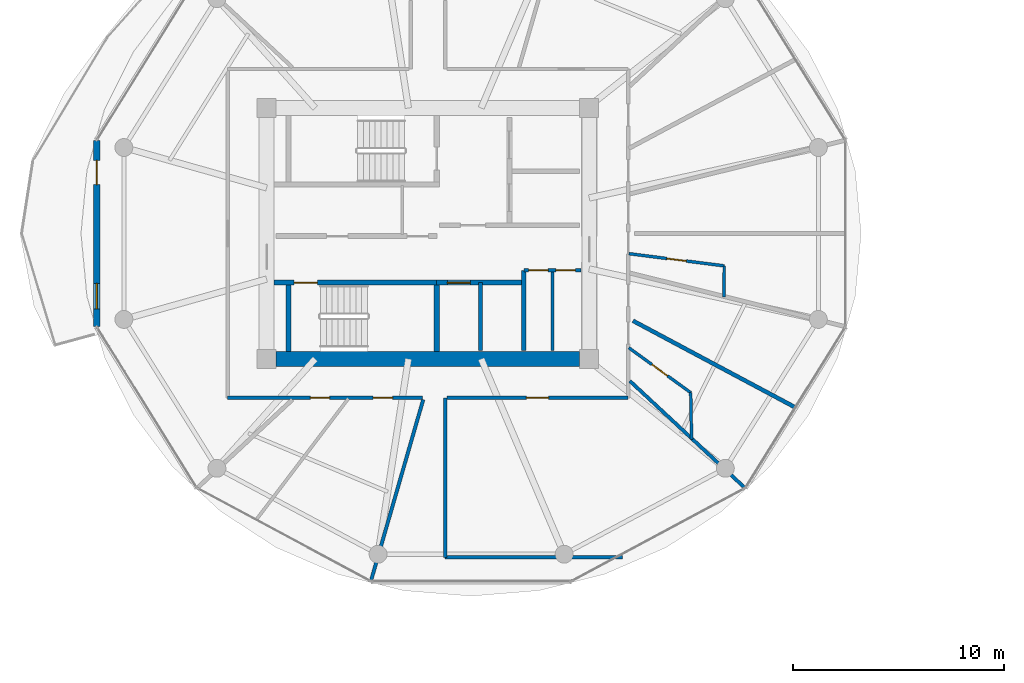
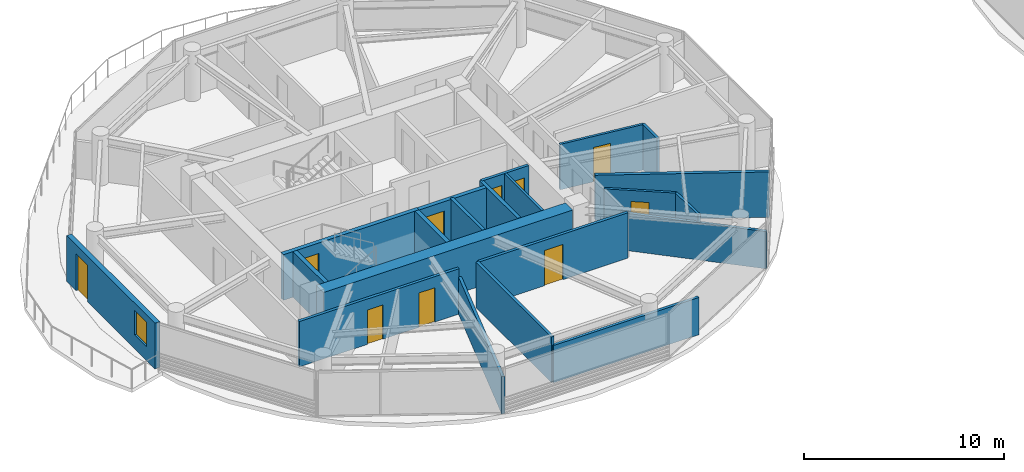
# One storey, part 13 of 22: 21 walls, 10 doors, 1 window, 11 openings.
"""IFC4 building model written with IfcOpenShell, lengths in metres."""

from ifc_helpers import new_model, si_unit, direction, frame, frame_2d, origin, place, context, subcontext, project, spatial, rectangle, extrude, source, transform, mapped, material, layer, layer_set, type_object, type_shapes, element, fill, save


model = new_model("IFC4")

# Units and contexts
model_context = context("Model", 3, precision=1e-05, world=origin(), true_north=direction((0.0, 1.0)))
body_context = subcontext(model_context, "Body", "Model", "MODEL_VIEW")
ifc_project = project(units=[si_unit("LENGTHUNIT", "METRE"), si_unit("AREAUNIT", "SQUARE_METRE"), si_unit("VOLUMEUNIT", "CUBIC_METRE"), si_unit("PLANEANGLEUNIT", "RADIAN"), si_unit("MASSUNIT", "GRAM", prefix="KILO")], contexts=[model_context])

# Site, building, storey
site_placement = place(None, origin())
site = spatial("IfcSite", under=ifc_project, at=site_placement, CompositionType="ELEMENT")
building_placement = place(site_placement, origin())
building = spatial("IfcBuilding", under=site, at=building_placement, Name="Norrkilde Senior Care Towers", CompositionType="ELEMENT")
storey_placement = place(building_placement, frame((0.0, 0.0, 87.10009765625)))
storey = spatial("IfcBuildingStorey", under=building, at=storey_placement, Name="L26", CompositionType="ELEMENT", Elevation=87.10009765625)

# Wall
ifc_material_1 = material(Name="Concrete C60/75", Category="concrete")
ifc_layer_1 = layer(ifc_material_1, 0.719970703125)
ifc_layer_set_1 = layer_set([ifc_layer_1], Name="Concrete C60/75")
wall_type_1 = type_object("IfcWallType", Name="Core Shear Wall Z2 720", PredefinedType="SHEAR", material=ifc_layer_set_1)
shared_shape_1 = source(origin(), body_context, "Body", "SweptSolid", [
    extrude(rectangle(XDim=14.39990234375, YDim=0.719970703125, at=frame_2d((7.199951171875, 0.0))), origin(), (0.0, 0.0, 1.0), 2.789794921875),
])
type_shapes(wall_type_1, [shared_shape_1])
wall_1_placement = place(storey_placement, frame((-20.800048828125, -5.949951171875, 0.0), z_axis=(0.0, 0.0, 1.0), x_axis=(-1.0, 0.0, 0.0)))
element("IfcWall", 1, at=wall_1_placement, inside=storey, type_object=wall_type_1, Name="L26 Core W South Shear Wall", PredefinedType="SHEAR", context=body_context, shape_type="MappedRepresentation", body=[
    mapped(shared_shape_1, transform((0.0, 0.0, 0.0), x_axis=(1.0, 0.0, 0.0), y_axis=(0.0, 1.0, 0.0), z_axis=(0.0, 0.0, 1.0), scale=1.0)),
])

# Wall, openings, door, window
ifc_material_2 = material(Name="Precast concrete C45/55", Category="concrete")
ifc_layer_2 = layer(ifc_material_2, 0.2900390625)
ifc_layer_set_2 = layer_set([ifc_layer_2], Name="Precast concrete C45/55")
wall_type_2 = type_object("IfcWallType", Name="Winter Garden Facade Wall 290", PredefinedType="SOLIDWALL", material=ifc_layer_set_2)
shared_shape_2 = source(origin(), body_context, "Body", "SweptSolid", [
    extrude(rectangle(XDim=8.84130859375, YDim=0.2900390625, at=frame_2d((4.420654296875, 0.0))), origin(), (0.0, 0.0, 1.0), 2.789794921875),
])
type_shapes(wall_type_2, [shared_shape_2])
wall_2_placement = place(storey_placement, frame((-43.70361328125, -4.420654296875, 0.0), z_axis=(0.0, 0.0, 1.0), x_axis=(0.0, 1.0, 0.0)))
wall_2 = element("IfcWall", 2, at=wall_2_placement, inside=storey, type_object=wall_type_2, Name="L26 Drum W Balcony Access Wall 05", PredefinedType="SOLIDWALL", context=body_context, shape_type="MappedRepresentation", body=[
    mapped(shared_shape_2, transform((0.0, 0.0, 0.0), x_axis=(1.0, 0.0, 0.0), y_axis=(0.0, 1.0, 0.0), z_axis=(0.0, 0.0, 1.0), scale=1.0)),
])
opening_1_placement = place(wall_2_placement, frame((6.739990234375, 0.0, 0.0)))
opening_1 = element("IfcOpeningElement", 3, at=opening_1_placement, cuts=wall_2, Name="Opening D-09", PredefinedType="OPENING", context=body_context, shape_type="SweptSolid", body=[
    extrude(rectangle(XDim=1.14990234375, YDim=2.25, at=frame_2d((0.574951171875, 1.125))), frame((0.0, 0.155029296875, 0.0), z_axis=(0.0, -1.0, 0.0), x_axis=(1.0, 0.0, 0.0)), (0.0, 0.0, 1.0), 0.31005859375),
])
opening_2_placement = place(wall_2_placement, frame((0.85009765625, 0.0, 0.85009765625)))
opening_2 = element("IfcOpeningElement", 4, at=opening_2_placement, cuts=wall_2, Name="Opening WN-07", PredefinedType="OPENING", context=body_context, shape_type="SweptSolid", body=[
    extrude(rectangle(XDim=1.199951171875, YDim=1.5, at=frame_2d((0.60009765625, 0.75))), frame((0.0, 0.155029296875, 0.0), z_axis=(0.0, -1.0, 0.0), x_axis=(1.0, 0.0, 0.0)), (0.0, 0.0, 1.0), 0.31005859375),
])
ifc_material_3 = material(Name="Anodised Aluminium", Category="aluminium")
door_type_1 = type_object("IfcDoorType", Name="Terrace and Balcony Glazed Door 1150x2250", OperationType="NOTDEFINED", PredefinedType="DOOR", material=ifc_material_3)
shared_shape_3 = source(origin(), body_context, "Body", "SweptSolid", [
    extrude(rectangle(XDim=1.14990234375, YDim=2.25, at=frame_2d((0.574951171875, 1.125))), frame((0.0, 0.02490234375, 0.0), z_axis=(0.0, -1.0, 0.0), x_axis=(1.0, 0.0, 0.0)), (0.0, 0.0, 1.0), 0.050048828125),
])
type_shapes(door_type_1, [shared_shape_3])
door_1_placement = place(opening_1_placement, origin())
door_1 = element("IfcDoor", 5, at=door_1_placement, inside=storey, type_object=door_type_1, Name="L26 Drum W Outdoor Terrace Door 05", OperationType="SINGLE_SWING_RIGHT", OverallHeight=2.25, OverallWidth=1.14990234375, PredefinedType="DOOR", context=body_context, shape_type="MappedRepresentation", body=[
    mapped(shared_shape_3, transform((0.0, 0.0, 0.0), x_axis=(1.0, 0.0, 0.0), y_axis=(0.0, 1.0, 0.0), z_axis=(0.0, 0.0, 1.0), scale=1.0)),
])
fill(opening_1, door_1)
ifc_material_4 = material(Name="Triple Low-E Insulated Glazing", Category="glass")
window_type = type_object("IfcWindowType", Name="Stairwell Smoke Vent Window 1200x1500", PartitioningType="SINGLE_PANEL", PredefinedType="WINDOW", material=ifc_material_4)
shared_shape_4 = source(origin(), body_context, "Body", "SweptSolid", [
    extrude(rectangle(XDim=1.199951171875, YDim=1.5, at=frame_2d((0.60009765625, 0.75))), frame((0.0, 0.030029296875, 0.0), z_axis=(0.0, -1.0, 0.0), x_axis=(1.0, 0.0, 0.0)), (0.0, 0.0, 1.0), 0.06005859375),
])
type_shapes(window_type, [shared_shape_4])
window_placement = place(opening_2_placement, origin())
window = element("IfcWindow", 6, at=window_placement, inside=storey, type_object=window_type, Name="L26 Drum W Winter Garden Window 05", OverallHeight=1.5, OverallWidth=1.199951171875, PartitioningType="SINGLE_PANEL", PredefinedType="WINDOW", context=body_context, shape_type="MappedRepresentation", body=[
    mapped(shared_shape_4, transform((0.0, 0.0, 0.0), x_axis=(1.0, 0.0, 0.0), y_axis=(0.0, 1.0, 0.0), z_axis=(0.0, 0.0, 1.0), scale=1.0)),
])
fill(opening_2, window)

# Wall
ifc_material_5 = material(Name="Concrete C45/55", Category="concrete")
ifc_layer_3 = layer(ifc_material_5, 0.199951171875)
ifc_layer_set_3 = layer_set([ifc_layer_3], Name="Concrete C45/55")
wall_type_3 = type_object("IfcWallType", Name="Shaft Division and Plant Partition 200", PredefinedType="PARTITIONING", material=ifc_layer_set_3)
shared_shape_5 = source(origin(), body_context, "Body", "SweptSolid", [
    extrude(rectangle(XDim=3.800048828125, YDim=0.199951171875, at=frame_2d((1.89990234375, 0.0))), origin(), (0.0, 0.0, 1.0), 2.77490234375),
])
type_shapes(wall_type_3, [shared_shape_5])
wall_3_placement = place(storey_placement, frame((-23.449951171875, -5.550048828125, 0.0), z_axis=(0.0, 0.0, 1.0), x_axis=(0.0, 1.0, 0.0)))
element("IfcWall", 7, at=wall_3_placement, inside=storey, type_object=wall_type_3, Name="WL-INT-L26-W-PKBE", PredefinedType="PARTITIONING", context=body_context, shape_type="MappedRepresentation", body=[
    mapped(shared_shape_5, transform((0.0, 0.0, 0.0), x_axis=(1.0, 0.0, 0.0), y_axis=(0.0, 1.0, 0.0), z_axis=(0.0, 0.0, 1.0), scale=1.0)),
])

# Wall, opening, door
ifc_layer_4 = layer(ifc_material_5, 0.239990234375)
ifc_layer_set_4 = layer_set([ifc_layer_4], Name="Concrete C45/55")
wall_type_4 = type_object("IfcWallType", Name="Lift and Plant Rated Enclosure Partition 240", PredefinedType="PARTITIONING", material=ifc_layer_set_4)
shared_shape_6 = source(origin(), body_context, "Body", "SweptSolid", [
    extrude(rectangle(XDim=4.130126953125, YDim=0.239990234375, at=frame_2d((2.06494140625, 0.0))), origin(), (0.0, 0.0, 1.0), 2.77490234375),
])
type_shapes(wall_type_4, [shared_shape_6])
wall_4_placement = place(storey_placement, frame((-27.580078125, -2.330078125, 0.0), z_axis=(0.0, 0.0, 1.0), x_axis=(1.0, 0.0, 0.0)))
wall_4 = element("IfcWall", 8, at=wall_4_placement, inside=storey, type_object=wall_type_4, Name="WL-INT-L26-W-PKBN", PredefinedType="PARTITIONING", context=body_context, shape_type="MappedRepresentation", body=[
    mapped(shared_shape_6, transform((0.0, 0.0, 0.0), x_axis=(1.0, 0.0, 0.0), y_axis=(0.0, 1.0, 0.0), z_axis=(0.0, 0.0, 1.0), scale=1.0)),
])
opening_3_placement = place(wall_4_placement, frame((0.5, 0.0, 0.0)))
opening_3 = element("IfcOpeningElement", 9, at=opening_3_placement, cuts=wall_4, Name="Opening LD-01", PredefinedType="OPENING", context=body_context, shape_type="SweptSolid", body=[
    extrude(rectangle(XDim=1.10009765625, YDim=2.199951171875, at=frame_2d((0.550048828125, 1.10009765625))), frame((0.0, 0.1298828125, 0.0), z_axis=(0.0, -1.0, 0.0), x_axis=(1.0, 0.0, 0.0)), (0.0, 0.0, 1.0), 0.260009765625),
])
ifc_material_6 = material(Name="Stainless Steel", Category="steel")
door_type_2 = type_object("IfcDoorType", Name="Lift Landing Sliding Door 1100x2200", OperationType="NOTDEFINED", PredefinedType="DOOR", material=ifc_material_6)
shared_shape_7 = source(origin(), body_context, "Body", "SweptSolid", [
    extrude(rectangle(XDim=1.10009765625, YDim=2.199951171875, at=frame_2d((0.550048828125, 1.10009765625))), frame((0.0, 0.02490234375, 0.0), z_axis=(0.0, -1.0, 0.0), x_axis=(1.0, 0.0, 0.0)), (0.0, 0.0, 1.0), 0.050048828125),
])
type_shapes(door_type_2, [shared_shape_7])
door_2_placement = place(opening_3_placement, frame((1.10009765625, 0.0, 0.0), z_axis=(0.0, 0.0, 1.0), x_axis=(-1.0, 0.0, 0.0)))
door_2 = element("IfcDoor", 10, at=door_2_placement, inside=storey, type_object=door_type_2, Name="L26 Passenger Lift W3 Landing Door", OperationType="SLIDING_TO_LEFT", OverallHeight=2.199951171875, OverallWidth=1.10009765625, PredefinedType="DOOR", context=body_context, shape_type="MappedRepresentation", body=[
    mapped(shared_shape_7, transform((0.0, 0.0, 0.0), x_axis=(1.0, 0.0, 0.0), y_axis=(0.0, 1.0, 0.0), z_axis=(0.0, 0.0, 1.0), scale=1.0)),
])
fill(opening_3, door_2)

# Wall
ifc_layer_5 = layer(ifc_material_5, 0.179931640625)
ifc_layer_set_5 = layer_set([ifc_layer_5], Name="Concrete C45/55")
wall_type_5 = type_object("IfcWallType", Name="Hoistway Division Rated Partition 180", PredefinedType="PARTITIONING", material=ifc_layer_set_5)
shared_shape_8 = source(origin(), body_context, "Body", "SweptSolid", [
    extrude(rectangle(XDim=3.219970703125, YDim=0.179931640625, at=frame_2d((1.60986328125, 0.0))), origin(), (0.0, 0.0, 1.0), 2.77490234375),
])
type_shapes(wall_type_5, [shared_shape_8])
wall_5_placement = place(storey_placement, frame((-25.5, -5.550048828125, 0.0), z_axis=(0.0, 0.0, 1.0), x_axis=(0.0, 1.0, 0.0)))
element("IfcWall", 11, at=wall_5_placement, inside=storey, type_object=wall_type_5, Name="WL-INT-L26-W-PL34", PredefinedType="PARTITIONING", context=body_context, shape_type="MappedRepresentation", body=[
    mapped(shared_shape_8, transform((0.0, 0.0, 0.0), x_axis=(1.0, 0.0, 0.0), y_axis=(0.0, 1.0, 0.0), z_axis=(0.0, 0.0, 1.0), scale=1.0)),
])

# Wall, openings, doors
ifc_material_7 = material(Name="Gypsum Acoustic Board")
ifc_layer_6 = layer(ifc_material_7, 0.1650390625)
ifc_layer_set_6 = layer_set([ifc_layer_6], Name="Gypsum Acoustic Board")
wall_type_6 = type_object("IfcWallType", Name="Corridor Rated Partition 165", PredefinedType="PARTITIONING", material=ifc_layer_set_6)
shared_shape_9 = source(origin(), body_context, "Body", "SweptSolid", [
    extrude(rectangle(XDim=2.699951171875, YDim=0.1650390625, at=frame_2d((1.35009765625, 0.0))), origin(), (0.0, 0.0, 1.0), 2.77490234375),
])
wall_6_placement = place(storey_placement, frame((-23.449951171875, -1.75, 0.0), z_axis=(0.0, 0.0, 1.0), x_axis=(1.0, 0.0, 0.0)))
wall_6 = element("IfcWall", 12, at=wall_6_placement, inside=storey, type_object=wall_type_6, Name="WL-INT-L26-W-CSN", PredefinedType="PARTITIONING", context=body_context, shape_type="MappedRepresentation", body=[
    mapped(shared_shape_9, transform((0.0, 0.0, 0.0), x_axis=(1.0, 0.0, 0.0), y_axis=(0.0, 1.0, 0.0), z_axis=(0.0, 0.0, 1.0), scale=1.0)),
])
opening_4_placement = place(wall_6_placement, frame((0.222412109375, 0.0, 0.0)))
opening_4 = element("IfcOpeningElement", 13, at=opening_4_placement, cuts=wall_6, Name="Opening D-12", PredefinedType="OPENING", context=body_context, shape_type="SweptSolid", body=[
    extrude(rectangle(XDim=0.925048828125, YDim=2.10009765625, at=frame_2d((0.46240234375, 1.050048828125))), frame((0.0, 0.092529296875, 0.0), z_axis=(0.0, -1.0, 0.0), x_axis=(1.0, 0.0, 0.0)), (0.0, 0.0, 1.0), 0.18505859375),
])
opening_5_placement = place(wall_6_placement, frame((1.5224609375, 0.0, 0.0)))
opening_5 = element("IfcOpeningElement", 14, at=opening_5_placement, cuts=wall_6, Name="Opening D-12", PredefinedType="OPENING", context=body_context, shape_type="SweptSolid", body=[
    extrude(rectangle(XDim=0.925048828125, YDim=2.10009765625, at=frame_2d((0.46240234375, 1.050048828125))), frame((0.0, 0.092529296875, 0.0), z_axis=(0.0, -1.0, 0.0), x_axis=(1.0, 0.0, 0.0)), (0.0, 0.0, 1.0), 0.18505859375),
])
ifc_material_8 = material(Name="Galvanised Painted Steel", Category="steel")
door_type_3 = type_object("IfcDoorType", Name="Core Wet Room Rated Door 925x2100", OperationType="NOTDEFINED", PredefinedType="DOOR", material=ifc_material_8)
shared_shape_10 = source(origin(), body_context, "Body", "SweptSolid", [
    extrude(rectangle(XDim=0.925048828125, YDim=2.10009765625, at=frame_2d((0.46240234375, 1.050048828125))), frame((0.0, 0.02490234375, 0.0), z_axis=(0.0, -1.0, 0.0), x_axis=(1.0, 0.0, 0.0)), (0.0, 0.0, 1.0), 0.050048828125),
])
type_shapes(door_type_3, [shared_shape_10])
door_3_placement = place(opening_4_placement, origin())
door_3 = element("IfcDoor", 15, at=door_3_placement, inside=storey, type_object=door_type_3, Name="L26 Staff Accessible WC W Door", OperationType="SINGLE_SWING_LEFT", OverallHeight=2.10009765625, OverallWidth=0.925048828125, PredefinedType="DOOR", context=body_context, shape_type="MappedRepresentation", body=[
    mapped(shared_shape_10, transform((0.0, 0.0, 0.0), x_axis=(1.0, 0.0, 0.0), y_axis=(0.0, 1.0, 0.0), z_axis=(0.0, 0.0, 1.0), scale=1.0)),
])
fill(opening_4, door_3)
door_4_placement = place(opening_5_placement, origin())
door_4 = element("IfcDoor", 16, at=door_4_placement, inside=storey, type_object=door_type_3, Name="L26 Housekeeping Store W Door", OperationType="SINGLE_SWING_RIGHT", OverallHeight=2.10009765625, OverallWidth=0.925048828125, PredefinedType="DOOR", context=body_context, shape_type="MappedRepresentation", body=[
    mapped(shared_shape_10, transform((0.0, 0.0, 0.0), x_axis=(1.0, 0.0, 0.0), y_axis=(0.0, 1.0, 0.0), z_axis=(0.0, 0.0, 1.0), scale=1.0)),
])
fill(opening_5, door_4)

# Wall
ifc_layer_7 = layer(ifc_material_7, 0.139892578125)
ifc_layer_set_7 = layer_set([ifc_layer_7], Name="Gypsum Acoustic Board")
wall_type_7 = type_object("IfcWallType", Name="En-suite Wet Room Wall 140", PredefinedType="PARTITIONING", material=ifc_layer_set_7)
shared_shape_11 = source(origin(), body_context, "Body", "SweptSolid", [
    extrude(rectangle(XDim=3.800048828125, YDim=0.139892578125, at=frame_2d((1.89990234375, 0.0))), origin(), (0.0, 0.0, 1.0), 2.77490234375),
])
wall_7_placement = place(storey_placement, frame((-22.10009765625, -5.550048828125, 0.0), z_axis=(0.0, 0.0, 1.0), x_axis=(0.0, 1.0, 0.0)))
element("IfcWall", 17, at=wall_7_placement, inside=storey, type_object=wall_type_7, Name="WL-INT-L26-W-CS1V", PredefinedType="PARTITIONING", context=body_context, shape_type="MappedRepresentation", body=[
    mapped(shared_shape_11, transform((0.0, 0.0, 0.0), x_axis=(1.0, 0.0, 0.0), y_axis=(0.0, 1.0, 0.0), z_axis=(0.0, 0.0, 1.0), scale=1.0)),
])

# Wall, opening, door
shared_shape_12 = source(origin(), body_context, "Body", "SweptSolid", [
    extrude(rectangle(XDim=8.60009765625, YDim=0.1650390625, at=frame_2d((4.300048828125, 0.0))), origin(), (0.0, 0.0, 1.0), 2.77490234375),
])
wall_8_placement = place(storey_placement, frame((-18.5, -7.800048828125, 0.0), z_axis=(0.0, 0.0, 1.0), x_axis=(-1.0, 0.0, 0.0)))
wall_8 = element("IfcWall", 18, at=wall_8_placement, inside=storey, type_object=wall_type_6, Name="WL-INT-L26-W-CRW-S-0", PredefinedType="PARTITIONING", context=body_context, shape_type="MappedRepresentation", body=[
    mapped(shared_shape_12, transform((0.0, 0.0, 0.0), x_axis=(1.0, 0.0, 0.0), y_axis=(0.0, 1.0, 0.0), z_axis=(0.0, 0.0, 1.0), scale=1.0)),
])
opening_6_placement = place(wall_8_placement, frame((3.77490234375, 0.0, 0.0)))
opening_6 = element("IfcOpeningElement", 19, at=opening_6_placement, cuts=wall_8, Name="Opening D-06", PredefinedType="OPENING", context=body_context, shape_type="SweptSolid", body=[
    extrude(rectangle(XDim=1.050048828125, YDim=2.14990234375, at=frame_2d((0.52490234375, 1.074951171875))), frame((0.0, 0.092529296875, 0.0), z_axis=(0.0, -1.0, 0.0), x_axis=(1.0, 0.0, 0.0)), (0.0, 0.0, 1.0), 0.18505859375),
])
ifc_material_9 = material(Name="Nordic Ash Timber", Category="wood")
door_type_4 = type_object("IfcDoorType", Name="Apartment Entrance Fire Door 1050x2150", OperationType="NOTDEFINED", PredefinedType="DOOR", material=ifc_material_9)
shared_shape_13 = source(origin(), body_context, "Body", "SweptSolid", [
    extrude(rectangle(XDim=1.050048828125, YDim=2.14990234375, at=frame_2d((0.52490234375, 1.074951171875))), frame((0.0, 0.02490234375, 0.0), z_axis=(0.0, -1.0, 0.0), x_axis=(1.0, 0.0, 0.0)), (0.0, 0.0, 1.0), 0.050048828125),
])
type_shapes(door_type_4, [shared_shape_13])
door_5_placement = place(opening_6_placement, frame((1.050048828125, 0.0, 0.0), z_axis=(0.0, 0.0, 1.0), x_axis=(-1.0, 0.0, 0.0)))
door_5 = element("IfcDoor", 20, at=door_5_placement, inside=storey, type_object=door_type_4, Name="L26 Reading Lounge SEL Door", OperationType="SINGLE_SWING_RIGHT", OverallHeight=2.14990234375, OverallWidth=1.050048828125, PredefinedType="DOOR", context=body_context, shape_type="MappedRepresentation", body=[
    mapped(shared_shape_13, transform((0.0, 0.0, 0.0), x_axis=(1.0, 0.0, 0.0), y_axis=(0.0, 1.0, 0.0), z_axis=(0.0, 0.0, 1.0), scale=1.0)),
])
fill(opening_6, door_5)

# Wall, openings, doors
shared_shape_14 = source(origin(), body_context, "Body", "SweptSolid", [
    extrude(rectangle(XDim=9.234130859375, YDim=0.1650390625, at=frame_2d((4.6171875, 0.0))), origin(), (0.0, 0.0, 1.0), 2.77490234375),
])
wall_9_placement = place(storey_placement, frame((-28.265869140625, -7.800048828125, 0.0), z_axis=(0.0, 0.0, 1.0), x_axis=(-1.0, 0.0, 0.0)))
wall_9 = element("IfcWall", 21, at=wall_9_placement, inside=storey, type_object=wall_type_6, Name="WL-INT-L26-W-CRW-S-1", PredefinedType="PARTITIONING", context=body_context, shape_type="MappedRepresentation", body=[
    mapped(shared_shape_14, transform((0.0, 0.0, 0.0), x_axis=(1.0, 0.0, 0.0), y_axis=(0.0, 1.0, 0.0), z_axis=(0.0, 0.0, 1.0), scale=1.0)),
])
opening_7_placement = place(wall_9_placement, frame((4.39208984375, 0.0, 0.0)))
opening_7 = element("IfcOpeningElement", 22, at=opening_7_placement, cuts=wall_9, Name="Opening D-08", PredefinedType="OPENING", context=body_context, shape_type="SweptSolid", body=[
    extrude(rectangle(XDim=0.919921875, YDim=2.10009765625, at=frame_2d((0.4599609375, 1.050048828125))), frame((0.0, 0.092529296875, 0.0), z_axis=(0.0, -1.0, 0.0), x_axis=(1.0, 0.0, 0.0)), (0.0, 0.0, 1.0), 0.18505859375),
])
opening_8_placement = place(wall_9_placement, frame((1.407958984375, 0.0, 0.0)))
opening_8 = element("IfcOpeningElement", 23, at=opening_8_placement, cuts=wall_9, Name="Opening D-08", PredefinedType="OPENING", context=body_context, shape_type="SweptSolid", body=[
    extrude(rectangle(XDim=0.919921875, YDim=2.10009765625, at=frame_2d((0.4599609375, 1.050048828125))), frame((0.0, 0.092529296875, 0.0), z_axis=(0.0, -1.0, 0.0), x_axis=(1.0, 0.0, 0.0)), (0.0, 0.0, 1.0), 0.18505859375),
])
door_type_5 = type_object("IfcDoorType", Name="Accessible Wet Room Door 920x2100", OperationType="NOTDEFINED", PredefinedType="DOOR", material=ifc_material_9)
shared_shape_15 = source(origin(), body_context, "Body", "SweptSolid", [
    extrude(rectangle(XDim=0.919921875, YDim=2.10009765625, at=frame_2d((0.4599609375, 1.050048828125))), frame((0.0, 0.02490234375, 0.0), z_axis=(0.0, -1.0, 0.0), x_axis=(1.0, 0.0, 0.0)), (0.0, 0.0, 1.0), 0.050048828125),
])
type_shapes(door_type_5, [shared_shape_15])
door_6_placement = place(opening_7_placement, frame((0.919921875, 0.0, 0.0), z_axis=(0.0, 0.0, 1.0), x_axis=(-1.0, 0.0, 0.0)))
door_6 = element("IfcDoor", 24, at=door_6_placement, inside=storey, type_object=door_type_5, Name="L26 Accessible Restroom Door", OperationType="SINGLE_SWING_RIGHT", OverallHeight=2.10009765625, OverallWidth=0.919921875, PredefinedType="DOOR", context=body_context, shape_type="MappedRepresentation", body=[
    mapped(shared_shape_15, transform((0.0, 0.0, 0.0), x_axis=(1.0, 0.0, 0.0), y_axis=(0.0, 1.0, 0.0), z_axis=(0.0, 0.0, 1.0), scale=1.0)),
])
fill(opening_7, door_6)
door_7_placement = place(opening_8_placement, frame((0.919921875, 0.0, 0.0), z_axis=(0.0, 0.0, 1.0), x_axis=(-1.0, 0.0, 0.0)))
door_7 = element("IfcDoor", 25, at=door_7_placement, inside=storey, type_object=door_type_5, Name="L26 Public Restroom Door", OperationType="SINGLE_SWING_LEFT", OverallHeight=2.10009765625, OverallWidth=0.919921875, PredefinedType="DOOR", context=body_context, shape_type="MappedRepresentation", body=[
    mapped(shared_shape_15, transform((0.0, 0.0, 0.0), x_axis=(1.0, 0.0, 0.0), y_axis=(0.0, 1.0, 0.0), z_axis=(0.0, 0.0, 1.0), scale=1.0)),
])
fill(opening_8, door_7)

# Walls
shared_shape_16 = source(origin(), body_context, "Body", "SweptSolid", [
    extrude(rectangle(XDim=8.9892578125, YDim=0.1650390625, at=frame_2d((4.49462890625, 0.0))), origin(), (0.0, 0.0, 1.0), 2.27490234375),
])
wall_10_placement = place(storey_placement, frame((-28.221923828125, -7.8798828125, 0.0), z_axis=(0.0, 0.0, 1.0), x_axis=(-0.27702323008, -0.960863221274, 0.0)))
element("IfcWall", 26, at=wall_10_placement, inside=storey, type_object=wall_type_6, Name="WL-INT-L26-W-DEM-08-0", PredefinedType="PARTITIONING", context=body_context, shape_type="MappedRepresentation", body=[
    mapped(shared_shape_16, transform((0.0, 0.0, 0.0), x_axis=(1.0, 0.0, 0.0), y_axis=(0.0, 1.0, 0.0), z_axis=(0.0, 0.0, 1.0), scale=1.0)),
])
shared_shape_17 = source(origin(), body_context, "Body", "SweptSolid", [
    extrude(rectangle(XDim=7.482177734375, YDim=0.1650390625, at=frame_2d((3.7412109375, 0.0))), origin(), (0.0, 0.0, 1.0), 2.27490234375),
])
wall_11_placement = place(storey_placement, frame((-18.419921875, -6.998046875, 0.0), z_axis=(0.0, 0.0, 1.0), x_axis=(0.732508698043, -0.680757671489, 0.0)))
element("IfcWall", 27, at=wall_11_placement, inside=storey, type_object=wall_type_6, Name="WL-INT-L26-W-DEM-10-0", PredefinedType="PARTITIONING", context=body_context, shape_type="MappedRepresentation", body=[
    mapped(shared_shape_17, transform((0.0, 0.0, 0.0), x_axis=(1.0, 0.0, 0.0), y_axis=(0.0, 1.0, 0.0), z_axis=(0.0, 0.0, 1.0), scale=1.0)),
])
shared_shape_18 = source(origin(), body_context, "Body", "SweptSolid", [
    extrude(rectangle(XDim=7.56005859375, YDim=0.1650390625, at=frame_2d((3.780029296875, 0.0))), origin(), (0.0, 0.0, 1.0), 2.77490234375),
])
wall_12_placement = place(storey_placement, frame((-27.179931640625, -15.360107421875, 0.0), z_axis=(0.0, 0.0, 1.0), x_axis=(0.0, 1.0, 0.0)))
element("IfcWall", 28, at=wall_12_placement, inside=storey, type_object=wall_type_6, Name="WL-INT-L26-W-PKW-SEL", PredefinedType="PARTITIONING", context=body_context, shape_type="MappedRepresentation", body=[
    mapped(shared_shape_18, transform((0.0, 0.0, 0.0), x_axis=(1.0, 0.0, 0.0), y_axis=(0.0, 1.0, 0.0), z_axis=(0.0, 0.0, 1.0), scale=1.0)),
])
shared_shape_19 = source(origin(), body_context, "Body", "SweptSolid", [
    extrude(rectangle(XDim=8.406982421875, YDim=0.1650390625, at=frame_2d((4.20361328125, 0.0))), origin(), (0.0, 0.0, 1.0), 2.27490234375),
])
type_shapes(wall_type_6, [shared_shape_9, shared_shape_12, shared_shape_14, shared_shape_16, shared_shape_17, shared_shape_18, shared_shape_19])
wall_13_placement = place(storey_placement, frame((-27.179931640625, -15.360107421875, 0.0), z_axis=(0.0, 0.0, 1.0), x_axis=(1.0, 0.0, 0.0)))
element("IfcWall", 29, at=wall_13_placement, inside=storey, type_object=wall_type_6, Name="WL-INT-L26-W-PKH-SEL-0", PredefinedType="PARTITIONING", context=body_context, shape_type="MappedRepresentation", body=[
    mapped(shared_shape_19, transform((0.0, 0.0, 0.0), x_axis=(1.0, 0.0, 0.0), y_axis=(0.0, 1.0, 0.0), z_axis=(0.0, 0.0, 1.0), scale=1.0)),
])
ifc_layer_8 = layer(ifc_material_7, 0.18994140625)
ifc_layer_set_8 = layer_set([ifc_layer_8], Name="Gypsum Acoustic Board")
wall_type_8 = type_object("IfcWallType", Name="Unit Demising Acoustic Wall 190", PredefinedType="PARTITIONING", material=ifc_layer_set_8)
shared_shape_20 = source(origin(), body_context, "Body", "SweptSolid", [
    extrude(rectangle(XDim=8.744384765625, YDim=0.18994140625, at=frame_2d((4.3720703125, 0.0))), origin(), (0.0, 0.0, 1.0), 2.77490234375),
])
type_shapes(wall_type_8, [shared_shape_20])
wall_14_placement = place(storey_placement, frame((-18.27294921875, -4.141845703125, 0.0), z_axis=(0.0, 0.0, 1.0), x_axis=(0.882252449936, -0.470776607938, 0.0)))
element("IfcWall", 30, at=wall_14_placement, inside=storey, type_object=wall_type_8, Name="WL-INT-L26-W-CMID-10", PredefinedType="PARTITIONING", context=body_context, shape_type="MappedRepresentation", body=[
    mapped(shared_shape_20, transform((0.0, 0.0, 0.0), x_axis=(1.0, 0.0, 0.0), y_axis=(0.0, 1.0, 0.0), z_axis=(0.0, 0.0, 1.0), scale=1.0)),
])

# Wall, opening, door
shared_shape_21 = source(origin(), body_context, "Body", "SweptSolid", [
    extrude(rectangle(XDim=3.621337890625, YDim=0.139892578125, at=frame_2d((1.810546875, 0.0))), origin(), (0.0, 0.0, 1.0), 2.77490234375),
])
wall_15_placement = place(storey_placement, frame((-18.469970703125, -5.421875, 0.0), z_axis=(0.0, 0.0, 1.0), x_axis=(0.80968252222, -0.586868139544, 0.0)))
wall_15 = element("IfcWall", 31, at=wall_15_placement, inside=storey, type_object=wall_type_7, Name="WL-INT-L26-W-ES-10A", PredefinedType="PARTITIONING", context=body_context, shape_type="MappedRepresentation", body=[
    mapped(shared_shape_21, transform((0.0, 0.0, 0.0), x_axis=(1.0, 0.0, 0.0), y_axis=(0.0, 1.0, 0.0), z_axis=(0.0, 0.0, 1.0), scale=1.0)),
])
opening_9_placement = place(wall_15_placement, frame((1.3505859375, 0.0, 0.0)))
opening_9 = element("IfcOpeningElement", 32, at=opening_9_placement, cuts=wall_15, Name="Opening D-08", PredefinedType="OPENING", context=body_context, shape_type="SweptSolid", body=[
    extrude(rectangle(XDim=0.919921875, YDim=2.10009765625, at=frame_2d((0.4599609375, 1.050048828125))), frame((0.0, 0.079833984375, 0.0), z_axis=(0.0, -1.0, 0.0), x_axis=(1.0, 0.0, 0.0)), (0.0, 0.0, 1.0), 0.159912109375),
])
door_8_placement = place(opening_9_placement, origin())
door_8 = element("IfcDoor", 33, at=door_8_placement, inside=storey, type_object=door_type_5, Name="L26 Care Suite 2610A Bathroom Door", OperationType="SINGLE_SWING_RIGHT", OverallHeight=2.10009765625, OverallWidth=0.919921875, PredefinedType="DOOR", context=body_context, shape_type="MappedRepresentation", body=[
    mapped(shared_shape_15, transform((0.0, 0.0, 0.0), x_axis=(1.0, 0.0, 0.0), y_axis=(0.0, 1.0, 0.0), z_axis=(0.0, 0.0, 1.0), scale=1.0)),
])
fill(opening_9, door_8)

# Wall
shared_shape_22 = source(origin(), body_context, "Body", "SweptSolid", [
    extrude(rectangle(XDim=2.224853515625, YDim=0.139892578125, at=frame_2d((1.1123046875, 0.0))), origin(), (0.0, 0.0, 1.0), 2.77490234375),
])
wall_16_placement = place(storey_placement, frame((-15.537841796875, -7.547119140625, 0.0), z_axis=(0.0, 0.0, 1.0), x_axis=(0.019971869027, -0.999800542332, 0.0)))
element("IfcWall", 34, at=wall_16_placement, inside=storey, type_object=wall_type_7, Name="WL-INT-L26-W-EF-10A", PredefinedType="PARTITIONING", context=body_context, shape_type="MappedRepresentation", body=[
    mapped(shared_shape_22, transform((0.0, 0.0, 0.0), x_axis=(1.0, 0.0, 0.0), y_axis=(0.0, 1.0, 0.0), z_axis=(0.0, 0.0, 1.0), scale=1.0)),
])

# Wall, opening, door
shared_shape_23 = source(origin(), body_context, "Body", "SweptSolid", [
    extrude(rectangle(XDim=4.562255859375, YDim=0.139892578125, at=frame_2d((2.28125, 0.0))), origin(), (0.0, 0.0, 1.0), 2.77490234375),
])
wall_17_placement = place(storey_placement, frame((-18.469970703125, -0.95751953125, 0.0), z_axis=(0.0, 0.0, 1.0), x_axis=(0.991904666356, -0.126984774129, 0.0)))
wall_17 = element("IfcWall", 35, at=wall_17_placement, inside=storey, type_object=wall_type_7, Name="WL-INT-L26-W-ES-11A", PredefinedType="PARTITIONING", context=body_context, shape_type="MappedRepresentation", body=[
    mapped(shared_shape_23, transform((0.0, 0.0, 0.0), x_axis=(1.0, 0.0, 0.0), y_axis=(0.0, 1.0, 0.0), z_axis=(0.0, 0.0, 1.0), scale=1.0)),
])
opening_10_placement = place(wall_17_placement, frame((1.8212890625, 0.0, 0.0)))
opening_10 = element("IfcOpeningElement", 36, at=opening_10_placement, cuts=wall_17, Name="Opening D-08", PredefinedType="OPENING", context=body_context, shape_type="SweptSolid", body=[
    extrude(rectangle(XDim=0.919921875, YDim=2.10009765625, at=frame_2d((0.4599609375, 1.050048828125))), frame((0.0, 0.079833984375, 0.0), z_axis=(0.0, -1.0, 0.0), x_axis=(1.0, 0.0, 0.0)), (0.0, 0.0, 1.0), 0.159912109375),
])
door_9_placement = place(opening_10_placement, origin())
door_9 = element("IfcDoor", 37, at=door_9_placement, inside=storey, type_object=door_type_5, Name="L26 Care Suite 2611A Bathroom Door", OperationType="SINGLE_SWING_LEFT", OverallHeight=2.10009765625, OverallWidth=0.919921875, PredefinedType="DOOR", context=body_context, shape_type="MappedRepresentation", body=[
    mapped(shared_shape_15, transform((0.0, 0.0, 0.0), x_axis=(1.0, 0.0, 0.0), y_axis=(0.0, 1.0, 0.0), z_axis=(0.0, 0.0, 1.0), scale=1.0)),
])
fill(opening_10, door_9)

# Wall
shared_shape_24 = source(origin(), body_context, "Body", "SweptSolid", [
    extrude(rectangle(XDim=1.4677734375, YDim=0.139892578125, at=frame_2d((0.73388671875, 0.0))), origin(), (0.0, 0.0, 1.0), 2.77490234375),
])
type_shapes(wall_type_7, [shared_shape_11, shared_shape_21, shared_shape_22, shared_shape_23, shared_shape_24])
wall_18_placement = place(storey_placement, frame((-13.944580078125, -1.536865234375, 0.0), z_axis=(0.0, 0.0, 1.0), x_axis=(-0.00399198416, -0.999992031999, 0.0)))
element("IfcWall", 38, at=wall_18_placement, inside=storey, type_object=wall_type_7, Name="WL-INT-L26-W-EF-11A", PredefinedType="PARTITIONING", context=body_context, shape_type="MappedRepresentation", body=[
    mapped(shared_shape_24, transform((0.0, 0.0, 0.0), x_axis=(1.0, 0.0, 0.0), y_axis=(0.0, 1.0, 0.0), z_axis=(0.0, 0.0, 1.0), scale=1.0)),
])

# Wall, opening, door
ifc_layer_9 = layer(ifc_material_5, 0.239990234375)
ifc_layer_set_9 = layer_set([ifc_layer_9], Name="Concrete C45/55")
wall_type_9 = type_object("IfcWallType", Name="Shaft and Stair Enclosure Wall 240", PredefinedType="PARTITIONING", material=ifc_layer_set_9)
shared_shape_25 = source(origin(), body_context, "Body", "SweptSolid", [
    extrude(rectangle(XDim=7.830078125, YDim=0.239990234375, at=frame_2d((3.9150390625, 0.0))), origin(), (0.0, 0.0, 1.0), 2.789794921875),
])
wall_19_placement = place(storey_placement, frame((-35.2900390625, -2.330078125, 0.0), z_axis=(0.0, 0.0, 1.0), x_axis=(1.0, 0.0, 0.0)))
wall_19 = element("IfcWall", 39, at=wall_19_placement, inside=storey, type_object=wall_type_9, Name="WL-INT-L26-W-ST2N", PredefinedType="PARTITIONING", context=body_context, shape_type="MappedRepresentation", body=[
    mapped(shared_shape_25, transform((0.0, 0.0, 0.0), x_axis=(1.0, 0.0, 0.0), y_axis=(0.0, 1.0, 0.0), z_axis=(0.0, 0.0, 1.0), scale=1.0)),
])
opening_11_placement = place(wall_19_placement, frame((0.949951171875, 0.0, 0.0)))
opening_11 = element("IfcOpeningElement", 40, at=opening_11_placement, cuts=wall_19, Name="Opening D-03", PredefinedType="OPENING", context=body_context, shape_type="SweptSolid", body=[
    extrude(rectangle(XDim=1.10009765625, YDim=2.14990234375, at=frame_2d((0.550048828125, 1.074951171875))), frame((0.0, 0.1298828125, 0.0), z_axis=(0.0, -1.0, 0.0), x_axis=(1.0, 0.0, 0.0)), (0.0, 0.0, 1.0), 0.260009765625),
])
door_type_6 = type_object("IfcDoorType", Name="Stairwell Protected Fire Door 1100x2150", OperationType="NOTDEFINED", PredefinedType="DOOR", material=ifc_material_8)
shared_shape_26 = source(origin(), body_context, "Body", "SweptSolid", [
    extrude(rectangle(XDim=1.10009765625, YDim=2.14990234375, at=frame_2d((0.550048828125, 1.074951171875))), frame((0.0, 0.02490234375, 0.0), z_axis=(0.0, -1.0, 0.0), x_axis=(1.0, 0.0, 0.0)), (0.0, 0.0, 1.0), 0.050048828125),
])
type_shapes(door_type_6, [shared_shape_26])
door_10_placement = place(opening_11_placement, frame((1.10009765625, 0.0, 0.0), z_axis=(0.0, 0.0, 1.0), x_axis=(-1.0, 0.0, 0.0)))
door_10 = element("IfcDoor", 41, at=door_10_placement, inside=storey, type_object=door_type_6, Name="L26 Stair W2 Fire Door", OperationType="SINGLE_SWING_RIGHT", OverallHeight=2.14990234375, OverallWidth=1.10009765625, PredefinedType="DOOR", context=body_context, shape_type="MappedRepresentation", body=[
    mapped(shared_shape_26, transform((0.0, 0.0, 0.0), x_axis=(1.0, 0.0, 0.0), y_axis=(0.0, 1.0, 0.0), z_axis=(0.0, 0.0, 1.0), scale=1.0)),
])
fill(opening_11, door_10)

# Walls
shared_shape_27 = source(origin(), body_context, "Body", "SweptSolid", [
    extrude(rectangle(XDim=3.14013671875, YDim=0.239990234375, at=frame_2d((1.570068359375, 0.0))), origin(), (0.0, 0.0, 1.0), 2.789794921875),
])
type_shapes(wall_type_9, [shared_shape_25, shared_shape_27])
for number, where, z_axis, x_axis, name in (
    (42, (-34.6201171875, -5.590087890625, 0.0), (0.0, 0.0, 1.0), (0.0, 1.0, 0.0), "WL-INT-L26-W-ST2W"),
    (43, (-27.580078125, -5.590087890625, 0.0), (0.0, 0.0, 1.0), (0.0, 1.0, 0.0), "WL-INT-L26-W-ST2E"),
):
    element("IfcWall", number, at=place(storey_placement, frame(where, z_axis=z_axis, x_axis=x_axis)), inside=storey, type_object=wall_type_9, Name=name, PredefinedType="PARTITIONING", context=body_context, shape_type="MappedRepresentation", body=[
        mapped(shared_shape_27, transform((0.0, 0.0, 0.0), x_axis=(1.0, 0.0, 0.0), y_axis=(0.0, 1.0, 0.0), z_axis=(0.0, 0.0, 1.0), scale=1.0)),
    ])

save(model, "model.ifc")
